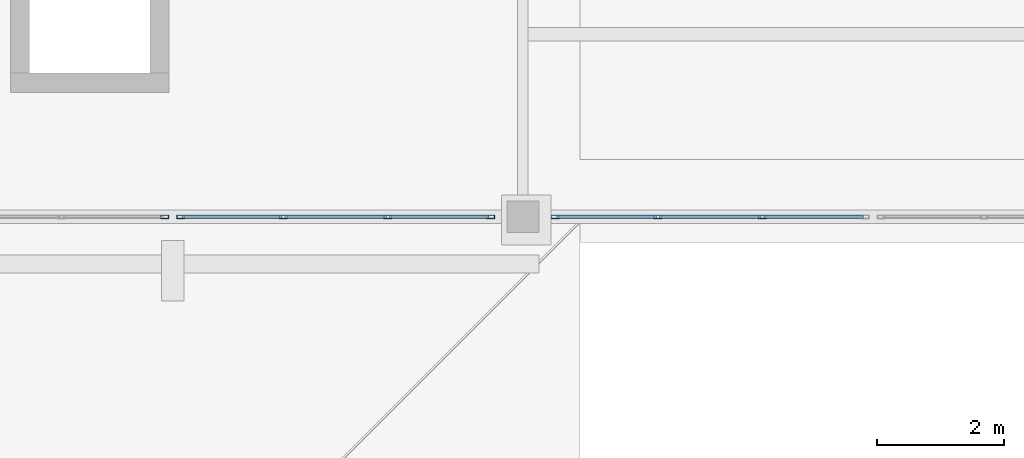
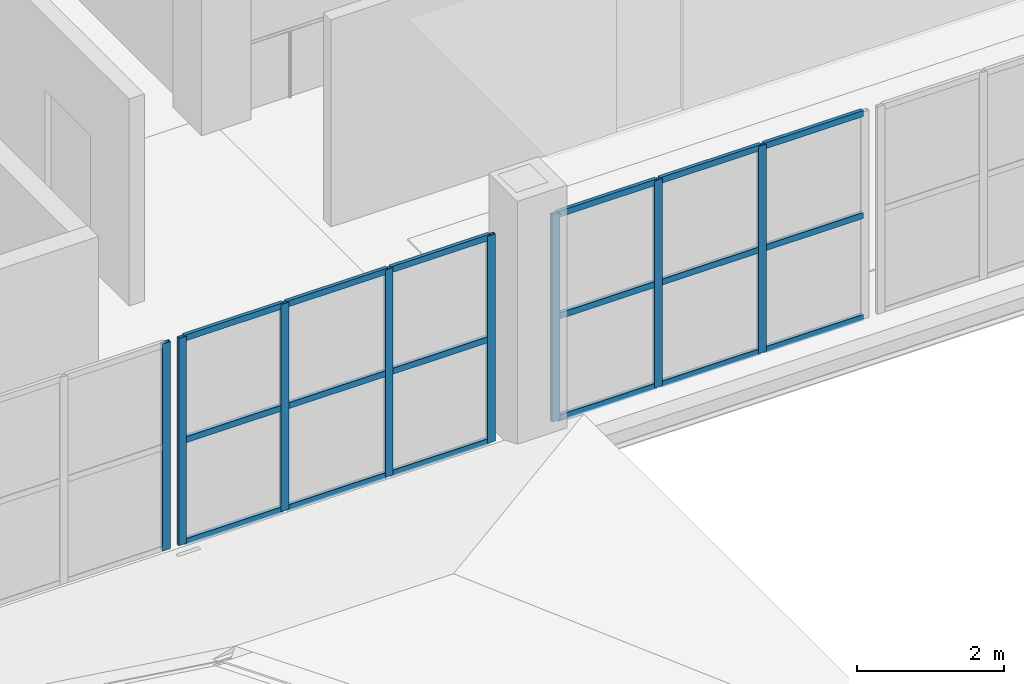
# One storey, part 6 of 26: 26 members, 3 elements without a shape of their own.
"""IFC4 building model written with IfcOpenShell, lengths in metres."""

from ifc_helpers import new_model, si_unit, direction, frame, origin, origin_2d, place, context, subcontext, project, spatial, hollow_rectangle, extrude, material, material_profile, profile_set, type_object, element, aggregate, save


model = new_model("IFC4")

# Units and contexts
model_context = context("Model", 3, precision=1e-05, world=origin(), true_north=direction((0.0, 1.0)))
body_context = subcontext(model_context, "Body", "Model", "MODEL_VIEW")
ifc_project = project(units=[si_unit("LENGTHUNIT", "METRE"), si_unit("AREAUNIT", "SQUARE_METRE"), si_unit("VOLUMEUNIT", "CUBIC_METRE"), si_unit("PLANEANGLEUNIT", "RADIAN"), si_unit("MASSUNIT", "GRAM", prefix="KILO")], contexts=[model_context])

# Site, building, storey
site_placement = place(None, origin())
site = spatial("IfcSite", under=ifc_project, at=site_placement, CompositionType="ELEMENT")
building_placement = place(site_placement, origin())
building = spatial("IfcBuilding", under=site, at=building_placement, Name="Caurita Quay Ferry Terminal", CompositionType="ELEMENT")
storey_placement = place(building_placement, frame((0.0, 0.0, 18.300048828125)))
storey = spatial("IfcBuildingStorey", under=building, at=storey_placement, Name="L04", CompositionType="ELEMENT", Elevation=18.300048828125)

# Curtain wall, member
ifc_material_1 = material(Name="Laminated solar-control insulated glass", Category="glass")
curtain_wall_type = type_object("IfcCurtainWallType", Name="CW-SYS-22", PredefinedType="NOTDEFINED", material=ifc_material_1)
curtain_wall_1_placement = place(storey_placement, origin())
curtain_wall_1 = element("IfcCurtainWall", 1, at=curtain_wall_1_placement, inside=storey, type_object=curtain_wall_type, Name="VTS Harbour South Watch Curtain Wall 152", PredefinedType="NOTDEFINED")
ifc_material_2 = material(Name="Anodized aluminium 6063-T6", Category="aluminium")
ifc_material_profile_1 = material_profile(ifc_material_2, hollow_rectangle(XDim=0.054931640625, YDim=0.125, WallThickness=0.00341796875, at=origin_2d()), Name="ALU-MUL-55X125")
ifc_profile_set_1 = profile_set([ifc_material_profile_1], Name="Anodized aluminium 6063-T6")
member_type_1 = type_object("IfcMemberType", Name="CW-MUL-125", PredefinedType="MULLION", material=ifc_profile_set_1)
member_1_placement = place(storey_placement, frame((16.37255859375, 71.60009765625, 0.0), z_axis=(0.0, 0.0, 1.0), x_axis=(0.0, 1.0, 0.0)))
member_1 = element("IfcMember", 2, at=member_1_placement, type_object=member_type_1, Name="CW-VTS-152 Mullion 4", PredefinedType="MULLION", context=body_context, shape_type="SweptSolid", body=[
    extrude(hollow_rectangle(XDim=0.054931640625, YDim=0.125, WallThickness=0.00341796875, at=origin_2d()), origin(), (0.0, 0.0, 1.0), 3.449951171875),
])
aggregate(curtain_wall_1, [member_1])

# Curtain wall, members
curtain_wall_2_placement = place(storey_placement, origin())
curtain_wall_2 = element("IfcCurtainWall", 3, at=curtain_wall_2_placement, inside=storey, type_object=curtain_wall_type, Name="VTS Harbour South Watch Curtain Wall 153", PredefinedType="NOTDEFINED")
member_2_placement = place(storey_placement, frame((16.62744140625, 71.60009765625, 0.0), z_axis=(0.0, 0.0, 1.0), x_axis=(0.0, 1.0, 0.0)))
member_2 = element("IfcMember", 4, at=member_2_placement, type_object=member_type_1, Name="CW-VTS-153 Mullion 1", PredefinedType="MULLION", context=body_context, shape_type="SweptSolid", body=[
    extrude(hollow_rectangle(XDim=0.054931640625, YDim=0.125, WallThickness=0.00341796875, at=origin_2d()), origin(), (0.0, 0.0, 1.0), 3.449951171875),
])
member_3_placement = place(storey_placement, frame((18.239990234375, 71.60009765625, 0.0), z_axis=(0.0, 0.0, 1.0), x_axis=(0.0, 1.0, 0.0)))
member_3 = element("IfcMember", 5, at=member_3_placement, type_object=member_type_1, Name="CW-VTS-153 Mullion 2", PredefinedType="MULLION", context=body_context, shape_type="SweptSolid", body=[
    extrude(hollow_rectangle(XDim=0.054931640625, YDim=0.125, WallThickness=0.00341796875, at=origin_2d()), origin(), (0.0, 0.0, 1.0), 3.449951171875),
])
member_4_placement = place(storey_placement, frame((19.8798828125, 71.60009765625, 0.0), z_axis=(0.0, 0.0, 1.0), x_axis=(0.0, 1.0, 0.0)))
member_4 = element("IfcMember", 6, at=member_4_placement, type_object=member_type_1, Name="CW-VTS-153 Mullion 3", PredefinedType="MULLION", context=body_context, shape_type="SweptSolid", body=[
    extrude(hollow_rectangle(XDim=0.054931640625, YDim=0.125, WallThickness=0.00341796875, at=origin_2d()), origin(), (0.0, 0.0, 1.0), 3.449951171875),
])
member_5_placement = place(storey_placement, frame((21.492431640625, 71.60009765625, 0.0), z_axis=(0.0, 0.0, 1.0), x_axis=(0.0, 1.0, 0.0)))
member_5 = element("IfcMember", 7, at=member_5_placement, type_object=member_type_1, Name="CW-VTS-153 Mullion 4", PredefinedType="MULLION", context=body_context, shape_type="SweptSolid", body=[
    extrude(hollow_rectangle(XDim=0.054931640625, YDim=0.125, WallThickness=0.00341796875, at=origin_2d()), origin(), (0.0, 0.0, 1.0), 3.449951171875),
])

curtain_wall_3_placement = place(storey_placement, origin())
curtain_wall_3 = element("IfcCurtainWall", 8, at=curtain_wall_3_placement, inside=storey, type_object=curtain_wall_type, Name="VTS Harbour South Watch Curtain Wall 154", PredefinedType="NOTDEFINED")
member_6_placement = place(storey_placement, frame((22.507568359375, 71.60009765625, 0.0), z_axis=(0.0, 0.0, 1.0), x_axis=(0.0, 1.0, 0.0)))
member_6 = element("IfcMember", 9, at=member_6_placement, type_object=member_type_1, Name="CW-VTS-154 Mullion 1", PredefinedType="MULLION", context=body_context, shape_type="SweptSolid", body=[
    extrude(hollow_rectangle(XDim=0.054931640625, YDim=0.125, WallThickness=0.00341796875, at=origin_2d()), origin(), (0.0, 0.0, 1.0), 3.449951171875),
])
member_7_placement = place(storey_placement, frame((24.1201171875, 71.60009765625, 0.0), z_axis=(0.0, 0.0, 1.0), x_axis=(0.0, 1.0, 0.0)))
member_7 = element("IfcMember", 10, at=member_7_placement, type_object=member_type_1, Name="CW-VTS-154 Mullion 2", PredefinedType="MULLION", context=body_context, shape_type="SweptSolid", body=[
    extrude(hollow_rectangle(XDim=0.054931640625, YDim=0.125, WallThickness=0.00341796875, at=origin_2d()), origin(), (0.0, 0.0, 1.0), 3.449951171875),
])
member_8_placement = place(storey_placement, frame((25.760009765625, 71.60009765625, 0.0), z_axis=(0.0, 0.0, 1.0), x_axis=(0.0, 1.0, 0.0)))
member_8 = element("IfcMember", 11, at=member_8_placement, type_object=member_type_1, Name="CW-VTS-154 Mullion 3", PredefinedType="MULLION", context=body_context, shape_type="SweptSolid", body=[
    extrude(hollow_rectangle(XDim=0.054931640625, YDim=0.125, WallThickness=0.00341796875, at=origin_2d()), origin(), (0.0, 0.0, 1.0), 3.449951171875),
])

# Member
ifc_material_profile_2 = material_profile(ifc_material_2, hollow_rectangle(XDim=0.054931640625, YDim=0.10009765625, WallThickness=0.00341796875, at=origin_2d()), Name="ALU-TRN-55X100")
ifc_profile_set_2 = profile_set([ifc_material_profile_2], Name="Anodized aluminium 6063-T6")
member_type_2 = type_object("IfcMemberType", Name="CW-TRN-100", PredefinedType="USERDEFINED", material=ifc_profile_set_2)
member_9_placement = place(storey_placement, frame((16.653076171875, 71.60009765625, 0.02734375), z_axis=(1.0, 0.0, 0.0), x_axis=(0.0, 1.0, 0.0)))
member_9 = element("IfcMember", 12, at=member_9_placement, type_object=member_type_2, Name="CW-VTS-153 Transom 1", ObjectType="TRANSOM", PredefinedType="USERDEFINED", context=body_context, shape_type="SweptSolid", body=[
    extrude(hollow_rectangle(XDim=0.054931640625, YDim=0.10009765625, WallThickness=0.00341796875, at=origin_2d()), origin(), (0.0, 0.0, 1.0), 1.5615234375),
])

member_10_placement = place(storey_placement, frame((16.653076171875, 71.60009765625, 1.724853515625), z_axis=(1.0, 0.0, 0.0), x_axis=(0.0, 1.0, 0.0)))
member_10 = element("IfcMember", 13, at=member_10_placement, type_object=member_type_2, Name="CW-VTS-153 Transom 2", ObjectType="TRANSOM", PredefinedType="USERDEFINED", context=body_context, shape_type="SweptSolid", body=[
    extrude(hollow_rectangle(XDim=0.054931640625, YDim=0.10009765625, WallThickness=0.00341796875, at=origin_2d()), origin(), (0.0, 0.0, 1.0), 1.5615234375),
])

member_11_placement = place(storey_placement, frame((16.653076171875, 71.60009765625, 3.42236328125), z_axis=(1.0, 0.0, 0.0), x_axis=(0.0, 1.0, 0.0)))
member_11 = element("IfcMember", 14, at=member_11_placement, type_object=member_type_2, Name="CW-VTS-153 Transom 3", ObjectType="TRANSOM", PredefinedType="USERDEFINED", context=body_context, shape_type="SweptSolid", body=[
    extrude(hollow_rectangle(XDim=0.054931640625, YDim=0.10009765625, WallThickness=0.00341796875, at=origin_2d()), origin(), (0.0, 0.0, 1.0), 1.5615234375),
])

member_12_placement = place(storey_placement, frame((18.265380859375, 71.60009765625, 0.02734375), z_axis=(1.0, 0.0, 0.0), x_axis=(0.0, 1.0, 0.0)))
member_12 = element("IfcMember", 15, at=member_12_placement, type_object=member_type_2, Name="CW-VTS-153 Transom 4", ObjectType="TRANSOM", PredefinedType="USERDEFINED", context=body_context, shape_type="SweptSolid", body=[
    extrude(hollow_rectangle(XDim=0.054931640625, YDim=0.10009765625, WallThickness=0.00341796875, at=origin_2d()), origin(), (0.0, 0.0, 1.0), 1.589111328125),
])

member_13_placement = place(storey_placement, frame((18.265380859375, 71.60009765625, 1.724853515625), z_axis=(1.0, 0.0, 0.0), x_axis=(0.0, 1.0, 0.0)))
member_13 = element("IfcMember", 16, at=member_13_placement, type_object=member_type_2, Name="CW-VTS-153 Transom 5", ObjectType="TRANSOM", PredefinedType="USERDEFINED", context=body_context, shape_type="SweptSolid", body=[
    extrude(hollow_rectangle(XDim=0.054931640625, YDim=0.10009765625, WallThickness=0.00341796875, at=origin_2d()), origin(), (0.0, 0.0, 1.0), 1.589111328125),
])

member_14_placement = place(storey_placement, frame((18.265380859375, 71.60009765625, 3.42236328125), z_axis=(1.0, 0.0, 0.0), x_axis=(0.0, 1.0, 0.0)))
member_14 = element("IfcMember", 17, at=member_14_placement, type_object=member_type_2, Name="CW-VTS-153 Transom 6", ObjectType="TRANSOM", PredefinedType="USERDEFINED", context=body_context, shape_type="SweptSolid", body=[
    extrude(hollow_rectangle(XDim=0.054931640625, YDim=0.10009765625, WallThickness=0.00341796875, at=origin_2d()), origin(), (0.0, 0.0, 1.0), 1.589111328125),
])

member_15_placement = place(storey_placement, frame((19.905517578125, 71.60009765625, 0.02734375), z_axis=(1.0, 0.0, 0.0), x_axis=(0.0, 1.0, 0.0)))
member_15 = element("IfcMember", 18, at=member_15_placement, type_object=member_type_2, Name="CW-VTS-153 Transom 7", ObjectType="TRANSOM", PredefinedType="USERDEFINED", context=body_context, shape_type="SweptSolid", body=[
    extrude(hollow_rectangle(XDim=0.054931640625, YDim=0.10009765625, WallThickness=0.00341796875, at=origin_2d()), origin(), (0.0, 0.0, 1.0), 1.5615234375),
])

member_16_placement = place(storey_placement, frame((19.905517578125, 71.60009765625, 1.724853515625), z_axis=(1.0, 0.0, 0.0), x_axis=(0.0, 1.0, 0.0)))
member_16 = element("IfcMember", 19, at=member_16_placement, type_object=member_type_2, Name="CW-VTS-153 Transom 8", ObjectType="TRANSOM", PredefinedType="USERDEFINED", context=body_context, shape_type="SweptSolid", body=[
    extrude(hollow_rectangle(XDim=0.054931640625, YDim=0.10009765625, WallThickness=0.00341796875, at=origin_2d()), origin(), (0.0, 0.0, 1.0), 1.5615234375),
])

member_17_placement = place(storey_placement, frame((19.905517578125, 71.60009765625, 3.42236328125), z_axis=(1.0, 0.0, 0.0), x_axis=(0.0, 1.0, 0.0)))
member_17 = element("IfcMember", 20, at=member_17_placement, type_object=member_type_2, Name="CW-VTS-153 Transom 9", ObjectType="TRANSOM", PredefinedType="USERDEFINED", context=body_context, shape_type="SweptSolid", body=[
    extrude(hollow_rectangle(XDim=0.054931640625, YDim=0.10009765625, WallThickness=0.00341796875, at=origin_2d()), origin(), (0.0, 0.0, 1.0), 1.5615234375),
])

aggregate(curtain_wall_2, [member_2, member_3, member_4, member_5, member_9, member_10, member_11, member_12, member_13, member_14, member_15, member_16, member_17])

member_18_placement = place(storey_placement, frame((22.532958984375, 71.60009765625, 0.02734375), z_axis=(1.0, 0.0, 0.0), x_axis=(0.0, 1.0, 0.0)))
member_18 = element("IfcMember", 21, at=member_18_placement, type_object=member_type_2, Name="CW-VTS-154 Transom 1", ObjectType="TRANSOM", PredefinedType="USERDEFINED", context=body_context, shape_type="SweptSolid", body=[
    extrude(hollow_rectangle(XDim=0.054931640625, YDim=0.10009765625, WallThickness=0.00341796875, at=origin_2d()), origin(), (0.0, 0.0, 1.0), 1.5615234375),
])

member_19_placement = place(storey_placement, frame((22.532958984375, 71.60009765625, 1.724853515625), z_axis=(1.0, 0.0, 0.0), x_axis=(0.0, 1.0, 0.0)))
member_19 = element("IfcMember", 22, at=member_19_placement, type_object=member_type_2, Name="CW-VTS-154 Transom 2", ObjectType="TRANSOM", PredefinedType="USERDEFINED", context=body_context, shape_type="SweptSolid", body=[
    extrude(hollow_rectangle(XDim=0.054931640625, YDim=0.10009765625, WallThickness=0.00341796875, at=origin_2d()), origin(), (0.0, 0.0, 1.0), 1.5615234375),
])

member_20_placement = place(storey_placement, frame((22.532958984375, 71.60009765625, 3.42236328125), z_axis=(1.0, 0.0, 0.0), x_axis=(0.0, 1.0, 0.0)))
member_20 = element("IfcMember", 23, at=member_20_placement, type_object=member_type_2, Name="CW-VTS-154 Transom 3", ObjectType="TRANSOM", PredefinedType="USERDEFINED", context=body_context, shape_type="SweptSolid", body=[
    extrude(hollow_rectangle(XDim=0.054931640625, YDim=0.10009765625, WallThickness=0.00341796875, at=origin_2d()), origin(), (0.0, 0.0, 1.0), 1.5615234375),
])

member_21_placement = place(storey_placement, frame((24.1455078125, 71.60009765625, 0.02734375), z_axis=(1.0, 0.0, 0.0), x_axis=(0.0, 1.0, 0.0)))
member_21 = element("IfcMember", 24, at=member_21_placement, type_object=member_type_2, Name="CW-VTS-154 Transom 4", ObjectType="TRANSOM", PredefinedType="USERDEFINED", context=body_context, shape_type="SweptSolid", body=[
    extrude(hollow_rectangle(XDim=0.054931640625, YDim=0.10009765625, WallThickness=0.00341796875, at=origin_2d()), origin(), (0.0, 0.0, 1.0), 1.589111328125),
])

member_22_placement = place(storey_placement, frame((24.1455078125, 71.60009765625, 1.724853515625), z_axis=(1.0, 0.0, 0.0), x_axis=(0.0, 1.0, 0.0)))
member_22 = element("IfcMember", 25, at=member_22_placement, type_object=member_type_2, Name="CW-VTS-154 Transom 5", ObjectType="TRANSOM", PredefinedType="USERDEFINED", context=body_context, shape_type="SweptSolid", body=[
    extrude(hollow_rectangle(XDim=0.054931640625, YDim=0.10009765625, WallThickness=0.00341796875, at=origin_2d()), origin(), (0.0, 0.0, 1.0), 1.589111328125),
])

member_23_placement = place(storey_placement, frame((24.1455078125, 71.60009765625, 3.42236328125), z_axis=(1.0, 0.0, 0.0), x_axis=(0.0, 1.0, 0.0)))
member_23 = element("IfcMember", 26, at=member_23_placement, type_object=member_type_2, Name="CW-VTS-154 Transom 6", ObjectType="TRANSOM", PredefinedType="USERDEFINED", context=body_context, shape_type="SweptSolid", body=[
    extrude(hollow_rectangle(XDim=0.054931640625, YDim=0.10009765625, WallThickness=0.00341796875, at=origin_2d()), origin(), (0.0, 0.0, 1.0), 1.589111328125),
])

member_24_placement = place(storey_placement, frame((25.785400390625, 71.60009765625, 0.02734375), z_axis=(1.0, 0.0, 0.0), x_axis=(0.0, 1.0, 0.0)))
member_24 = element("IfcMember", 27, at=member_24_placement, type_object=member_type_2, Name="CW-VTS-154 Transom 7", ObjectType="TRANSOM", PredefinedType="USERDEFINED", context=body_context, shape_type="SweptSolid", body=[
    extrude(hollow_rectangle(XDim=0.054931640625, YDim=0.10009765625, WallThickness=0.00341796875, at=origin_2d()), origin(), (0.0, 0.0, 1.0), 1.5615234375),
])

member_25_placement = place(storey_placement, frame((25.785400390625, 71.60009765625, 1.724853515625), z_axis=(1.0, 0.0, 0.0), x_axis=(0.0, 1.0, 0.0)))
member_25 = element("IfcMember", 28, at=member_25_placement, type_object=member_type_2, Name="CW-VTS-154 Transom 8", ObjectType="TRANSOM", PredefinedType="USERDEFINED", context=body_context, shape_type="SweptSolid", body=[
    extrude(hollow_rectangle(XDim=0.054931640625, YDim=0.10009765625, WallThickness=0.00341796875, at=origin_2d()), origin(), (0.0, 0.0, 1.0), 1.5615234375),
])

member_26_placement = place(storey_placement, frame((25.785400390625, 71.60009765625, 3.42236328125), z_axis=(1.0, 0.0, 0.0), x_axis=(0.0, 1.0, 0.0)))
member_26 = element("IfcMember", 29, at=member_26_placement, type_object=member_type_2, Name="CW-VTS-154 Transom 9", ObjectType="TRANSOM", PredefinedType="USERDEFINED", context=body_context, shape_type="SweptSolid", body=[
    extrude(hollow_rectangle(XDim=0.054931640625, YDim=0.10009765625, WallThickness=0.00341796875, at=origin_2d()), origin(), (0.0, 0.0, 1.0), 1.5615234375),
])

aggregate(curtain_wall_3, [member_6, member_7, member_8, member_18, member_19, member_20, member_21, member_22, member_23, member_24, member_25, member_26])

save(model, "model.ifc")
